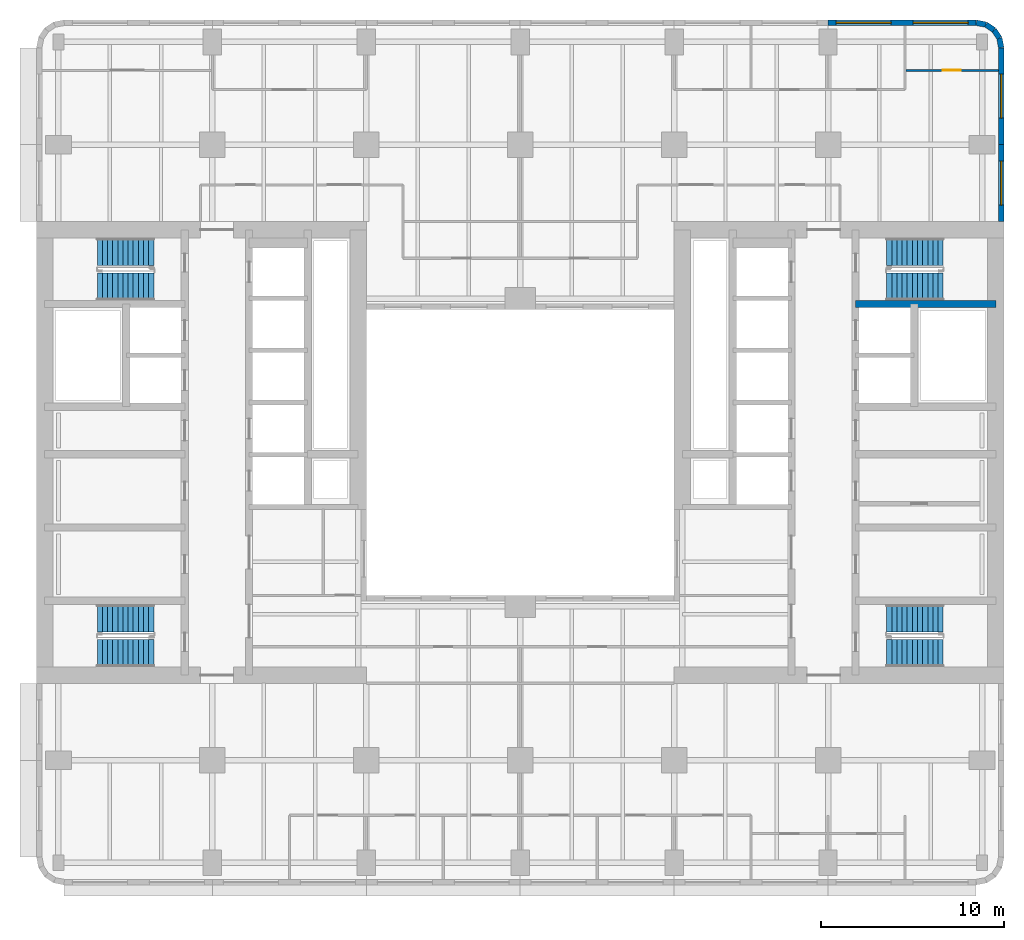
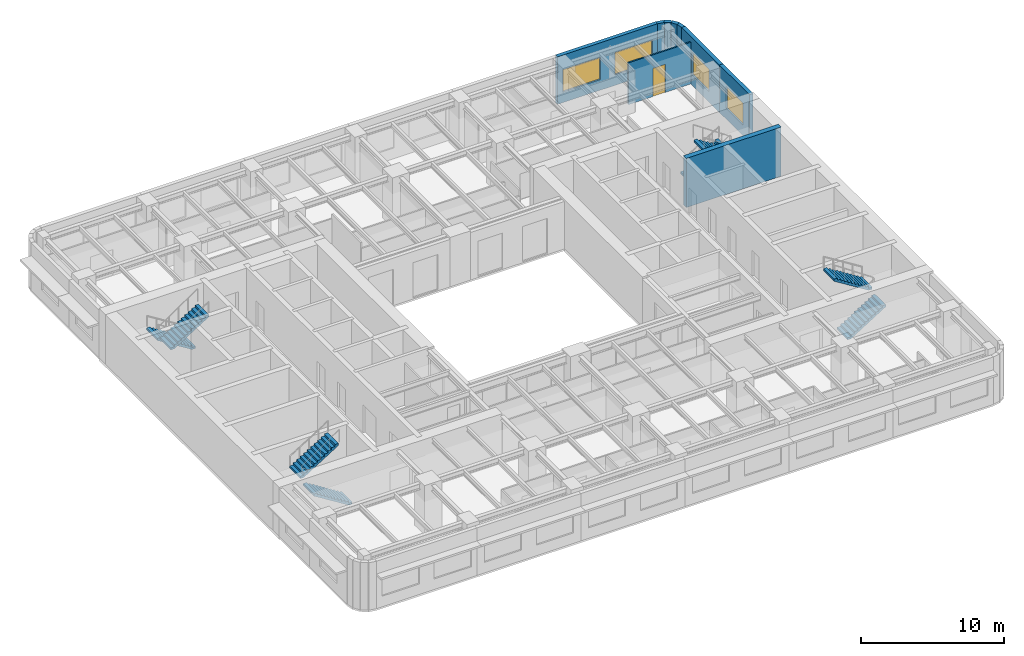
# One storey, part 8 of 11: 9 walls, 8 stair flights, 4 windows, 1 door, 5 openings, 4 elements without a shape of their own.
"""IFC4 building model written with IfcOpenShell, lengths in metres."""

from ifc_helpers import new_model, si_unit, direction, frame, frame_2d, origin, place, context, subcontext, project, spatial, polyline, rectangle, outline, extrude, material, layer, layer_set, type_object, element, fill, aggregate, save


model = new_model("IFC4")

# Units and contexts
model_context = context("Model", 3, precision=1e-05, world=origin(), true_north=direction((0.0, 1.0)))
body_context = subcontext(model_context, "Body", "Model", "MODEL_VIEW")
ifc_project = project(units=[si_unit("LENGTHUNIT", "METRE"), si_unit("AREAUNIT", "SQUARE_METRE"), si_unit("VOLUMEUNIT", "CUBIC_METRE"), si_unit("PLANEANGLEUNIT", "RADIAN"), si_unit("MASSUNIT", "GRAM", prefix="KILO")], contexts=[model_context])

# Site, building, storey
site_placement = place(None, origin())
site = spatial("IfcSite", under=ifc_project, at=site_placement, CompositionType="ELEMENT")
building_placement = place(site_placement, origin())
building = spatial("IfcBuilding", under=site, at=building_placement, Name="Claustro Exchange Tower", CompositionType="ELEMENT")
storey_placement = place(building_placement, frame((0.0, 0.0, 134.39990234375)))
storey = spatial("IfcBuildingStorey", under=building, at=storey_placement, Name="L30", CompositionType="ELEMENT", Elevation=134.39990234375)

# Wall, opening, door
ifc_material_1 = material(Name="Laminated glass in aluminium frame", Category="aluminium")
ifc_layer_1 = layer(ifc_material_1, 0.1201171875)
ifc_layer_set_1 = layer_set([ifc_layer_1], Name="Laminated glass in aluminium frame")
wall_type_1 = type_object("IfcWallType", Name="P2 120 glazed partition", PredefinedType="PARTITIONING", material=ifc_layer_set_1)
wall_1_placement = place(storey_placement, frame((46.258056640625, 46.050048828125, 0.0), z_axis=(0.0, 0.0, 1.0), x_axis=(1.0, 0.0, 0.0)))
wall_1 = element("IfcWall", 1, at=wall_1_placement, inside=storey, type_object=wall_type_1, Name="Partition P2 L30", PredefinedType="PARTITIONING", context=body_context, shape_type="SweptSolid", body=[
    extrude(rectangle(XDim=5.0439453125, YDim=0.1201171875, at=frame_2d((2.52197265625, 0.0))), origin(), (0.0, 0.0, 1.0), 3.56005859375),
])
opening_1_placement = place(wall_1_placement, frame((1.991943359375, 0.0, 0.0)))
opening_1 = element("IfcOpeningElement", 2, at=opening_1_placement, cuts=wall_1, Name="Opening D7", PredefinedType="OPENING", context=body_context, shape_type="SweptSolid", body=[
    extrude(rectangle(XDim=1.0, YDim=2.39990234375, at=frame_2d((0.5, 1.199951171875))), frame((0.0, 0.070068359375, 0.0), z_axis=(0.0, -1.0, 0.0), x_axis=(1.0, 0.0, 0.0)), (0.0, 0.0, 1.0), 0.14013671875),
])
ifc_material_2 = material(Name="Glass door in aluminium frame", Category="aluminium")
door_type = type_object("IfcDoorType", Name="D7 1000 x 2400 glazed door", OperationType="SINGLE_SWING_LEFT", PredefinedType="DOOR", material=ifc_material_2)
door_placement = place(opening_1_placement, origin())
door = element("IfcDoor", 3, at=door_placement, inside=storey, type_object=door_type, Name="Door D7 L30", OperationType="SINGLE_SWING_LEFT", OverallHeight=2.39990234375, OverallWidth=1.0, PredefinedType="DOOR", context=body_context, shape_type="SweptSolid", body=[
    extrude(rectangle(XDim=1.0, YDim=2.39990234375, at=frame_2d((0.5, 1.199951171875))), frame((0.0, 0.02490234375, 0.0), z_axis=(0.0, -1.0, 0.0), x_axis=(1.0, 0.0, 0.0)), (0.0, 0.0, 1.0), 0.050048828125),
])
fill(opening_1, door)

# Wall, openings, windows
ifc_material_3 = material(Name="Concrete HA-40 (C40/50), precast, white cement, acid-etched", Category="concrete")
ifc_layer_2 = layer(ifc_material_3, 0.300048828125)
ifc_layer_set_2 = layer_set([ifc_layer_2], Name="Concrete HA-40 (C40/50), precast, white cement, acid-etched")
wall_type_2 = type_object("IfcWallType", Name="PC1 300 precast concrete pier panel", PredefinedType="SOLIDWALL", material=ifc_layer_set_2)
wall_2_placement = place(storey_placement, frame((42.0, 48.64990234375, 0.0), z_axis=(0.0, 0.0, 1.0), x_axis=(1.0, 0.0, 0.0)))
wall_2 = element("IfcWall", 4, at=wall_2_placement, inside=storey, type_object=wall_type_2, Name="Precast pier panel PC1 L30", PredefinedType="SOLIDWALL", context=body_context, shape_type="SweptSolid", body=[
    extrude(rectangle(XDim=8.085205078125, YDim=0.300048828125, at=frame_2d((4.04248046875, 0.0))), origin(), (0.0, 0.0, 1.0), 4.050048828125),
])
opening_2_placement = place(wall_2_placement, frame((0.442626953125, 0.0, 0.89990234375)))
opening_2 = element("IfcOpeningElement", 5, at=opening_2_placement, cuts=wall_2, Name="Opening W1", PredefinedType="OPENING", context=body_context, shape_type="SweptSolid", body=[
    extrude(rectangle(XDim=3.0, YDim=1.89990234375, at=frame_2d((1.5, 0.949951171875))), frame((0.0, 0.159912109375, 0.0), z_axis=(0.0, -1.0, 0.0), x_axis=(1.0, 0.0, 0.0)), (0.0, 0.0, 1.0), 0.320068359375),
])
opening_3_placement = place(wall_2_placement, frame((4.642578125, 0.0, 0.89990234375)))
opening_3 = element("IfcOpeningElement", 6, at=opening_3_placement, cuts=wall_2, Name="Opening W1", PredefinedType="OPENING", context=body_context, shape_type="SweptSolid", body=[
    extrude(rectangle(XDim=3.0, YDim=1.89990234375, at=frame_2d((1.5, 0.949951171875))), frame((0.0, 0.159912109375, 0.0), z_axis=(0.0, -1.0, 0.0), x_axis=(1.0, 0.0, 0.0)), (0.0, 0.0, 1.0), 0.320068359375),
])
ifc_material_4 = material(Name="Aluminium frame, clear double glazing", Category="aluminium")
window_type_1 = type_object("IfcWindowType", Name="W1 3000 x 1900 window", PartitioningType="SINGLE_PANEL", PredefinedType="WINDOW", material=ifc_material_4)
window_1_placement = place(opening_2_placement, origin())
window_1 = element("IfcWindow", 7, at=window_1_placement, inside=storey, type_object=window_type_1, Name="Window W1 L30", OverallHeight=1.89990234375, OverallWidth=3.0, PartitioningType="SINGLE_PANEL", PredefinedType="WINDOW", context=body_context, shape_type="SweptSolid", body=[
    extrude(rectangle(XDim=3.0, YDim=1.89990234375, at=frame_2d((1.5, 0.949951171875))), frame((0.0, 0.030029296875, 0.0), z_axis=(0.0, -1.0, 0.0), x_axis=(1.0, 0.0, 0.0)), (0.0, 0.0, 1.0), 0.06005859375),
])
fill(opening_2, window_1)
window_2_placement = place(opening_3_placement, origin())
window_2 = element("IfcWindow", 8, at=window_2_placement, inside=storey, type_object=window_type_1, Name="Window W1 L30", OverallHeight=1.89990234375, OverallWidth=3.0, PartitioningType="SINGLE_PANEL", PredefinedType="WINDOW", context=body_context, shape_type="SweptSolid", body=[
    extrude(rectangle(XDim=3.0, YDim=1.89990234375, at=frame_2d((1.5, 0.949951171875))), frame((0.0, 0.030029296875, 0.0), z_axis=(0.0, -1.0, 0.0), x_axis=(1.0, 0.0, 0.0)), (0.0, 0.0, 1.0), 0.06005859375),
])
fill(opening_3, window_2)

# Walls
wall_3_placement = place(storey_placement, frame((50.085205078125, 48.64990234375, 0.0), z_axis=(0.0, 0.0, 1.0), x_axis=(0.980788534345, -0.195073962632, 0.0)))
element("IfcWall", 9, at=wall_3_placement, inside=storey, type_object=wall_type_2, Name="Precast pier panel PC1 L30", PredefinedType="SOLIDWALL", context=body_context, shape_type="SweptSolid", body=[
    extrude(rectangle(XDim=0.540771484375, YDim=0.300048828125, at=frame_2d((0.2705078125, 0.0))), origin(), (0.0, 0.0, 1.0), 4.050048828125),
])
wall_4_placement = place(storey_placement, frame((50.615478515625, 48.54443359375, 0.0), z_axis=(0.0, 0.0, 1.0), x_axis=(0.831692711774, -0.555236195849, 0.0)))
element("IfcWall", 10, at=wall_4_placement, inside=storey, type_object=wall_type_2, Name="Precast pier panel PC1 L30", PredefinedType="SOLIDWALL", context=body_context, shape_type="SweptSolid", body=[
    extrude(rectangle(XDim=0.525390625, YDim=0.300048828125, at=frame_2d((0.2626953125, 0.0))), origin(), (0.0, 0.0, 1.0), 4.050048828125),
])
wall_5_placement = place(storey_placement, frame((51.052490234375, 48.252685546875, 0.0), z_axis=(0.0, 0.0, 1.0), x_axis=(0.55534295404, -0.831621430339, 0.0)))
element("IfcWall", 11, at=wall_5_placement, inside=storey, type_object=wall_type_2, Name="Precast pier panel PC1 L30", PredefinedType="SOLIDWALL", context=body_context, shape_type="SweptSolid", body=[
    extrude(rectangle(XDim=0.52587890625, YDim=0.300048828125, at=frame_2d((0.262939453125, 0.0))), origin(), (0.0, 0.0, 1.0), 4.050048828125),
])
wall_6_placement = place(storey_placement, frame((51.344482421875, 47.8154296875, 0.0), z_axis=(0.0, 0.0, 1.0), x_axis=(0.195073962632, -0.980788534345, 0.0)))
element("IfcWall", 12, at=wall_6_placement, inside=storey, type_object=wall_type_2, Name="Precast pier panel PC1 L30", PredefinedType="SOLIDWALL", context=body_context, shape_type="SweptSolid", body=[
    extrude(rectangle(XDim=0.540771484375, YDim=0.300048828125, at=frame_2d((0.2705078125, 0.0))), origin(), (0.0, 0.0, 1.0), 4.050048828125),
])

# Wall, opening, window
wall_7_placement = place(storey_placement, frame((51.449951171875, 47.28515625, 0.0), z_axis=(0.0, 0.0, 1.0), x_axis=(0.0, -1.0, 0.0)))
wall_7 = element("IfcWall", 13, at=wall_7_placement, inside=storey, type_object=wall_type_2, Name="Precast pier panel PC1 L30", PredefinedType="SOLIDWALL", context=body_context, shape_type="SweptSolid", body=[
    extrude(rectangle(XDim=5.28515625, YDim=0.300048828125, at=frame_2d((2.642578125, 0.0))), origin(), (0.0, 0.0, 1.0), 4.050048828125),
])
opening_4_placement = place(wall_7_placement, frame((1.442626953125, 0.0, 0.89990234375)))
opening_4 = element("IfcOpeningElement", 14, at=opening_4_placement, cuts=wall_7, Name="Opening W2", PredefinedType="OPENING", context=body_context, shape_type="SweptSolid", body=[
    extrude(rectangle(XDim=2.39990234375, YDim=1.89990234375, at=frame_2d((1.199951171875, 0.949951171875))), frame((0.0, 0.159912109375, 0.0), z_axis=(0.0, -1.0, 0.0), x_axis=(1.0, 0.0, 0.0)), (0.0, 0.0, 1.0), 0.320068359375),
])
ifc_material_5 = material(Name="Aluminium frame, clear double glazing", Category="aluminium")
window_type_2 = type_object("IfcWindowType", Name="W2 2400 x 1900 window", PartitioningType="SINGLE_PANEL", PredefinedType="WINDOW", material=ifc_material_5)
window_3_placement = place(opening_4_placement, origin())
window_3 = element("IfcWindow", 15, at=window_3_placement, inside=storey, type_object=window_type_2, Name="Window W2 L30", OverallHeight=1.89990234375, OverallWidth=2.39990234375, PartitioningType="SINGLE_PANEL", PredefinedType="WINDOW", context=body_context, shape_type="SweptSolid", body=[
    extrude(rectangle(XDim=2.39990234375, YDim=1.89990234375, at=frame_2d((1.199951171875, 0.949951171875))), frame((0.0, 0.030029296875, 0.0), z_axis=(0.0, -1.0, 0.0), x_axis=(1.0, 0.0, 0.0)), (0.0, 0.0, 1.0), 0.06005859375),
])
fill(opening_4, window_3)

wall_8_placement = place(storey_placement, frame((51.449951171875, 42.0, 0.0), z_axis=(0.0, 0.0, 1.0), x_axis=(0.0, -1.0, 0.0)))
wall_8 = element("IfcWall", 16, at=wall_8_placement, inside=storey, type_object=wall_type_2, Name="Precast pier panel PC1 L30", PredefinedType="SOLIDWALL", context=body_context, shape_type="SweptSolid", body=[
    extrude(rectangle(XDim=4.199951171875, YDim=0.300048828125, at=frame_2d((2.10009765625, 0.0))), origin(), (0.0, 0.0, 1.0), 4.050048828125),
])
opening_5_placement = place(wall_8_placement, frame((0.89990234375, 0.0, 0.89990234375)))
opening_5 = element("IfcOpeningElement", 17, at=opening_5_placement, cuts=wall_8, Name="Opening W2", PredefinedType="OPENING", context=body_context, shape_type="SweptSolid", body=[
    extrude(rectangle(XDim=2.39990234375, YDim=1.89990234375, at=frame_2d((1.199951171875, 0.949951171875))), frame((0.0, 0.159912109375, 0.0), z_axis=(0.0, -1.0, 0.0), x_axis=(1.0, 0.0, 0.0)), (0.0, 0.0, 1.0), 0.320068359375),
])
window_4_placement = place(opening_5_placement, origin())
window_4 = element("IfcWindow", 18, at=window_4_placement, inside=storey, type_object=window_type_2, Name="Window W2 L30", OverallHeight=1.89990234375, OverallWidth=2.39990234375, PartitioningType="SINGLE_PANEL", PredefinedType="WINDOW", context=body_context, shape_type="SweptSolid", body=[
    extrude(rectangle(XDim=2.39990234375, YDim=1.89990234375, at=frame_2d((1.199951171875, 0.949951171875))), frame((0.0, 0.030029296875, 0.0), z_axis=(0.0, -1.0, 0.0), x_axis=(1.0, 0.0, 0.0)), (0.0, 0.0, 1.0), 0.06005859375),
])
fill(opening_5, window_4)

# Wall
ifc_material_6 = material(Name="Concrete HA-50 (C50/60)", Category="concrete")
ifc_layer_3 = layer(ifc_material_6, 0.39990234375)
ifc_layer_set_3 = layer_set([ifc_layer_3], Name="Concrete HA-50 (C50/60)")
wall_type_3 = type_object("IfcWallType", Name="SW4 400 internal core wall", PredefinedType="SHEAR", material=ifc_layer_set_3)
wall_9_placement = place(storey_placement, frame((51.14990234375, 33.300048828125, 0.0), z_axis=(0.0, 0.0, 1.0), x_axis=(-1.0, 0.0, 0.0)))
element("IfcWall", 19, at=wall_9_placement, inside=storey, type_object=wall_type_3, Name="Internal core wall SW4 E core L30", PredefinedType="SHEAR", context=body_context, shape_type="SweptSolid", body=[
    extrude(rectangle(XDim=7.64990234375, YDim=0.39990234375, at=frame_2d((3.824951171875, 0.0))), origin(), (0.0, 0.0, 1.0), 4.2001953125),
])

# Stair, stair flights
ifc_material_7 = material(Name="Concrete HA-30 (C30/37), precast", Category="concrete")
stair_type = type_object("IfcStairType", Name="ST1 half-turn stair, 24 risers of 175", PredefinedType="HALF_TURN_STAIR", material=ifc_material_7)
stair_1_placement = place(storey_placement, origin())
stair_1 = element("IfcStair", 20, at=stair_1_placement, inside=storey, type_object=stair_type, Name="Stair STWA L30", PredefinedType="HALF_TURN_STAIR")
ifc_material_8 = material(Name="Concrete HA-30 (C30/37), precast", Category="concrete")
stair_flight_type = type_object("IfcStairFlightType", Name="SF12A straight flight, 12 risers of 175, 1500 wide", PredefinedType="STRAIGHT", material=ifc_material_8)
stair_flight_1_placement = place(storey_placement, frame((5.199951171875, 14.25, 0.0), z_axis=(0.0, 0.0, 1.0), x_axis=(-1.0, 0.0, 0.0)))
stair_flight_1 = element("IfcStairFlight", 21, at=stair_flight_1_placement, type_object=stair_flight_type, Name="STWA flight 1", NumberOfRisers=12, NumberOfTreads=11, PredefinedType="STRAIGHT", RiserHeight=0.175, TreadLength=0.28, context=body_context, shape_type="SweptSolid", body=[
    extrude(outline(polyline([(0.0, 0.0), (0.0, 0.175048828125), (0.280029296875, 0.175048828125), (0.280029296875, 0.35009765625), (0.56005859375, 0.35009765625), (0.56005859375, 0.52490234375), (0.840087890625, 0.52490234375), (0.840087890625, 0.699951171875), (1.1201171875, 0.699951171875), (1.1201171875, 0.875), (1.39990234375, 0.875), (1.39990234375, 1.050048828125), (1.679931640625, 1.050048828125), (1.679931640625, 1.22509765625), (1.9599609375, 1.22509765625), (1.9599609375, 1.39990234375), (2.239990234375, 1.39990234375), (2.239990234375, 1.574951171875), (2.52001953125, 1.574951171875), (2.52001953125, 1.75), (2.800048828125, 1.75), (2.800048828125, 1.925048828125), (3.080078125, 1.925048828125), (3.080078125, 2.10009765625), (3.080078125, 1.748291015625), (0.28271484375, 0.0), (0.0, 0.0)])), frame((0.0, 0.75, 0.0), z_axis=(0.0, -1.0, 0.0), x_axis=(1.0, 0.0, 0.0)), (0.0, 0.0, 1.0), 1.5),
])
stair_flight_2_placement = place(storey_placement, frame((2.1201171875, 16.14990234375, 2.10009765625), z_axis=(0.0, 0.0, 1.0), x_axis=(1.0, 0.0, 0.0)))
stair_flight_2 = element("IfcStairFlight", 22, at=stair_flight_2_placement, type_object=stair_flight_type, Name="STWA flight 2", NumberOfRisers=12, NumberOfTreads=11, PredefinedType="STRAIGHT", RiserHeight=0.175, TreadLength=0.28, context=body_context, shape_type="SweptSolid", body=[
    extrude(outline(polyline([(0.0, 0.0), (0.0, 0.175048828125), (0.280029296875, 0.175048828125), (0.280029296875, 0.35009765625), (0.56005859375, 0.35009765625), (0.56005859375, 0.52490234375), (0.840087890625, 0.52490234375), (0.840087890625, 0.699951171875), (1.1201171875, 0.699951171875), (1.1201171875, 0.875), (1.39990234375, 0.875), (1.39990234375, 1.050048828125), (1.679931640625, 1.050048828125), (1.679931640625, 1.22509765625), (1.9599609375, 1.22509765625), (1.9599609375, 1.39990234375), (2.239990234375, 1.39990234375), (2.239990234375, 1.574951171875), (2.52001953125, 1.574951171875), (2.52001953125, 1.75), (2.800048828125, 1.75), (2.800048828125, 1.925048828125), (3.080078125, 1.925048828125), (3.080078125, 2.10009765625), (3.080078125, 1.748291015625), (0.28271484375, 0.0), (0.0, 0.0)])), frame((0.0, 0.75, 0.0), z_axis=(0.0, -1.0, 0.0), x_axis=(1.0, 0.0, 0.0)), (0.0, 0.0, 1.0), 1.5),
])
aggregate(stair_1, [stair_flight_1, stair_flight_2])

stair_2_placement = place(storey_placement, origin())
stair_2 = element("IfcStair", 23, at=stair_2_placement, inside=storey, type_object=stair_type, Name="Stair STWB L30", PredefinedType="HALF_TURN_STAIR")
stair_flight_3_placement = place(storey_placement, frame((5.199951171875, 36.14990234375, 0.0), z_axis=(0.0, 0.0, 1.0), x_axis=(-1.0, 0.0, 0.0)))
stair_flight_3 = element("IfcStairFlight", 24, at=stair_flight_3_placement, type_object=stair_flight_type, Name="STWB flight 1", NumberOfRisers=12, NumberOfTreads=11, PredefinedType="STRAIGHT", RiserHeight=0.175, TreadLength=0.28, context=body_context, shape_type="SweptSolid", body=[
    extrude(outline(polyline([(0.0, 0.0), (0.0, 0.175048828125), (0.280029296875, 0.175048828125), (0.280029296875, 0.35009765625), (0.56005859375, 0.35009765625), (0.56005859375, 0.52490234375), (0.840087890625, 0.52490234375), (0.840087890625, 0.699951171875), (1.1201171875, 0.699951171875), (1.1201171875, 0.875), (1.39990234375, 0.875), (1.39990234375, 1.050048828125), (1.679931640625, 1.050048828125), (1.679931640625, 1.22509765625), (1.9599609375, 1.22509765625), (1.9599609375, 1.39990234375), (2.239990234375, 1.39990234375), (2.239990234375, 1.574951171875), (2.52001953125, 1.574951171875), (2.52001953125, 1.75), (2.800048828125, 1.75), (2.800048828125, 1.925048828125), (3.080078125, 1.925048828125), (3.080078125, 2.10009765625), (3.080078125, 1.748291015625), (0.28271484375, 0.0), (0.0, 0.0)])), frame((0.0, 0.75, 0.0), z_axis=(0.0, -1.0, 0.0), x_axis=(1.0, 0.0, 0.0)), (0.0, 0.0, 1.0), 1.5),
])
stair_flight_4_placement = place(storey_placement, frame((2.1201171875, 34.25, 2.10009765625), z_axis=(0.0, 0.0, 1.0), x_axis=(1.0, 0.0, 0.0)))
stair_flight_4 = element("IfcStairFlight", 25, at=stair_flight_4_placement, type_object=stair_flight_type, Name="STWB flight 2", NumberOfRisers=12, NumberOfTreads=11, PredefinedType="STRAIGHT", RiserHeight=0.175, TreadLength=0.28, context=body_context, shape_type="SweptSolid", body=[
    extrude(outline(polyline([(0.0, 0.0), (0.0, 0.175048828125), (0.280029296875, 0.175048828125), (0.280029296875, 0.35009765625), (0.56005859375, 0.35009765625), (0.56005859375, 0.52490234375), (0.840087890625, 0.52490234375), (0.840087890625, 0.699951171875), (1.1201171875, 0.699951171875), (1.1201171875, 0.875), (1.39990234375, 0.875), (1.39990234375, 1.050048828125), (1.679931640625, 1.050048828125), (1.679931640625, 1.22509765625), (1.9599609375, 1.22509765625), (1.9599609375, 1.39990234375), (2.239990234375, 1.39990234375), (2.239990234375, 1.574951171875), (2.52001953125, 1.574951171875), (2.52001953125, 1.75), (2.800048828125, 1.75), (2.800048828125, 1.925048828125), (3.080078125, 1.925048828125), (3.080078125, 2.10009765625), (3.080078125, 1.748291015625), (0.28271484375, 0.0), (0.0, 0.0)])), frame((0.0, 0.75, 0.0), z_axis=(0.0, -1.0, 0.0), x_axis=(1.0, 0.0, 0.0)), (0.0, 0.0, 1.0), 1.5),
])
aggregate(stair_2, [stair_flight_3, stair_flight_4])

stair_3_placement = place(storey_placement, origin())
stair_3 = element("IfcStair", 26, at=stair_3_placement, inside=storey, type_object=stair_type, Name="Stair STEA L30", PredefinedType="HALF_TURN_STAIR")
stair_flight_5_placement = place(storey_placement, frame((45.199951171875, 14.25, 0.0), z_axis=(0.0, 0.0, 1.0), x_axis=(1.0, 0.0, 0.0)))
stair_flight_5 = element("IfcStairFlight", 27, at=stair_flight_5_placement, type_object=stair_flight_type, Name="STEA flight 1", NumberOfRisers=12, NumberOfTreads=11, PredefinedType="STRAIGHT", RiserHeight=0.175, TreadLength=0.28, context=body_context, shape_type="SweptSolid", body=[
    extrude(outline(polyline([(0.0, 0.0), (0.0, 0.175048828125), (0.280029296875, 0.175048828125), (0.280029296875, 0.35009765625), (0.56005859375, 0.35009765625), (0.56005859375, 0.52490234375), (0.840087890625, 0.52490234375), (0.840087890625, 0.699951171875), (1.1201171875, 0.699951171875), (1.1201171875, 0.875), (1.39990234375, 0.875), (1.39990234375, 1.050048828125), (1.679931640625, 1.050048828125), (1.679931640625, 1.22509765625), (1.9599609375, 1.22509765625), (1.9599609375, 1.39990234375), (2.239990234375, 1.39990234375), (2.239990234375, 1.574951171875), (2.52001953125, 1.574951171875), (2.52001953125, 1.75), (2.800048828125, 1.75), (2.800048828125, 1.925048828125), (3.080078125, 1.925048828125), (3.080078125, 2.10009765625), (3.080078125, 1.748291015625), (0.28271484375, 0.0), (0.0, 0.0)])), frame((0.0, 0.75, 0.0), z_axis=(0.0, -1.0, 0.0), x_axis=(1.0, 0.0, 0.0)), (0.0, 0.0, 1.0), 1.5),
])
stair_flight_6_placement = place(storey_placement, frame((48.280029296875, 16.14990234375, 2.10009765625), z_axis=(0.0, 0.0, 1.0), x_axis=(-1.0, 0.0, 0.0)))
stair_flight_6 = element("IfcStairFlight", 28, at=stair_flight_6_placement, type_object=stair_flight_type, Name="STEA flight 2", NumberOfRisers=12, NumberOfTreads=11, PredefinedType="STRAIGHT", RiserHeight=0.175, TreadLength=0.28, context=body_context, shape_type="SweptSolid", body=[
    extrude(outline(polyline([(0.0, 0.0), (0.0, 0.175048828125), (0.280029296875, 0.175048828125), (0.280029296875, 0.35009765625), (0.56005859375, 0.35009765625), (0.56005859375, 0.52490234375), (0.840087890625, 0.52490234375), (0.840087890625, 0.699951171875), (1.1201171875, 0.699951171875), (1.1201171875, 0.875), (1.39990234375, 0.875), (1.39990234375, 1.050048828125), (1.679931640625, 1.050048828125), (1.679931640625, 1.22509765625), (1.9599609375, 1.22509765625), (1.9599609375, 1.39990234375), (2.239990234375, 1.39990234375), (2.239990234375, 1.574951171875), (2.52001953125, 1.574951171875), (2.52001953125, 1.75), (2.800048828125, 1.75), (2.800048828125, 1.925048828125), (3.080078125, 1.925048828125), (3.080078125, 2.10009765625), (3.080078125, 1.748291015625), (0.28271484375, 0.0), (0.0, 0.0)])), frame((0.0, 0.75, 0.0), z_axis=(0.0, -1.0, 0.0), x_axis=(1.0, 0.0, 0.0)), (0.0, 0.0, 1.0), 1.5),
])
aggregate(stair_3, [stair_flight_5, stair_flight_6])

stair_4_placement = place(storey_placement, origin())
stair_4 = element("IfcStair", 29, at=stair_4_placement, inside=storey, type_object=stair_type, Name="Stair STEB L30", PredefinedType="HALF_TURN_STAIR")
stair_flight_7_placement = place(storey_placement, frame((45.199951171875, 36.14990234375, 0.0), z_axis=(0.0, 0.0, 1.0), x_axis=(1.0, 0.0, 0.0)))
stair_flight_7 = element("IfcStairFlight", 30, at=stair_flight_7_placement, type_object=stair_flight_type, Name="STEB flight 1", NumberOfRisers=12, NumberOfTreads=11, PredefinedType="STRAIGHT", RiserHeight=0.175, TreadLength=0.28, context=body_context, shape_type="SweptSolid", body=[
    extrude(outline(polyline([(0.0, 0.0), (0.0, 0.175048828125), (0.280029296875, 0.175048828125), (0.280029296875, 0.35009765625), (0.56005859375, 0.35009765625), (0.56005859375, 0.52490234375), (0.840087890625, 0.52490234375), (0.840087890625, 0.699951171875), (1.1201171875, 0.699951171875), (1.1201171875, 0.875), (1.39990234375, 0.875), (1.39990234375, 1.050048828125), (1.679931640625, 1.050048828125), (1.679931640625, 1.22509765625), (1.9599609375, 1.22509765625), (1.9599609375, 1.39990234375), (2.239990234375, 1.39990234375), (2.239990234375, 1.574951171875), (2.52001953125, 1.574951171875), (2.52001953125, 1.75), (2.800048828125, 1.75), (2.800048828125, 1.925048828125), (3.080078125, 1.925048828125), (3.080078125, 2.10009765625), (3.080078125, 1.748291015625), (0.28271484375, 0.0), (0.0, 0.0)])), frame((0.0, 0.75, 0.0), z_axis=(0.0, -1.0, 0.0), x_axis=(1.0, 0.0, 0.0)), (0.0, 0.0, 1.0), 1.5),
])
stair_flight_8_placement = place(storey_placement, frame((48.280029296875, 34.25, 2.10009765625), z_axis=(0.0, 0.0, 1.0), x_axis=(-1.0, 0.0, 0.0)))
stair_flight_8 = element("IfcStairFlight", 31, at=stair_flight_8_placement, type_object=stair_flight_type, Name="STEB flight 2", NumberOfRisers=12, NumberOfTreads=11, PredefinedType="STRAIGHT", RiserHeight=0.175, TreadLength=0.28, context=body_context, shape_type="SweptSolid", body=[
    extrude(outline(polyline([(0.0, 0.0), (0.0, 0.175048828125), (0.280029296875, 0.175048828125), (0.280029296875, 0.35009765625), (0.56005859375, 0.35009765625), (0.56005859375, 0.52490234375), (0.840087890625, 0.52490234375), (0.840087890625, 0.699951171875), (1.1201171875, 0.699951171875), (1.1201171875, 0.875), (1.39990234375, 0.875), (1.39990234375, 1.050048828125), (1.679931640625, 1.050048828125), (1.679931640625, 1.22509765625), (1.9599609375, 1.22509765625), (1.9599609375, 1.39990234375), (2.239990234375, 1.39990234375), (2.239990234375, 1.574951171875), (2.52001953125, 1.574951171875), (2.52001953125, 1.75), (2.800048828125, 1.75), (2.800048828125, 1.925048828125), (3.080078125, 1.925048828125), (3.080078125, 2.10009765625), (3.080078125, 1.748291015625), (0.28271484375, 0.0), (0.0, 0.0)])), frame((0.0, 0.75, 0.0), z_axis=(0.0, -1.0, 0.0), x_axis=(1.0, 0.0, 0.0)), (0.0, 0.0, 1.0), 1.5),
])
aggregate(stair_4, [stair_flight_7, stair_flight_8])

save(model, "model.ifc")
